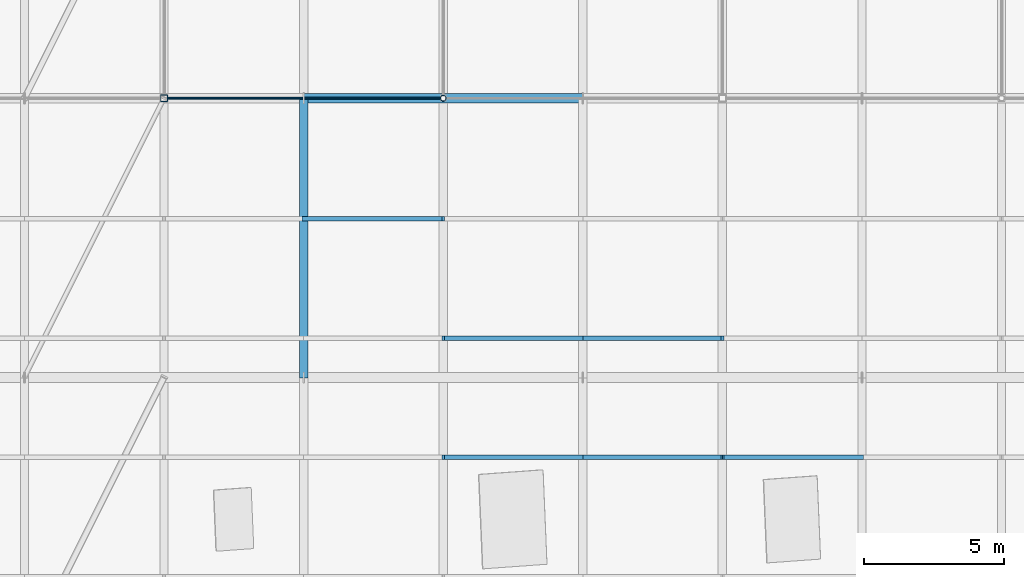
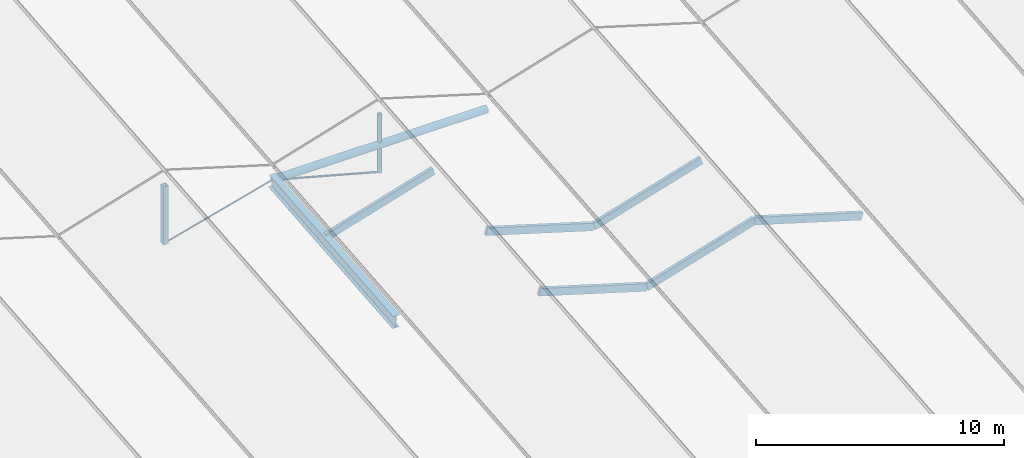
# One storey, part 16 of 90: 10 members, 2 beams.
"""IFC4 building model written with IfcOpenShell, lengths in metres."""

from ifc_helpers import new_model, si_unit, direction, frame, origin, origin_2d, place, context, subcontext, project, spatial, rectangle, hollow_rectangle, circle, hollow_circle, i_section, extrude, material, material_profile, profile_set, type_object, element, save


model = new_model("IFC4")

# Units and contexts
model_context = context("Model", 3, precision=1e-05, world=origin(), true_north=direction((0.0, 1.0)))
body_context = subcontext(model_context, "Body", "Model", "MODEL_VIEW")
ifc_project = project(units=[si_unit("LENGTHUNIT", "METRE"), si_unit("AREAUNIT", "SQUARE_METRE"), si_unit("VOLUMEUNIT", "CUBIC_METRE"), si_unit("PLANEANGLEUNIT", "RADIAN"), si_unit("MASSUNIT", "GRAM", prefix="KILO"), si_unit("THERMODYNAMICTEMPERATUREUNIT", "KELVIN"), si_unit("POWERUNIT", "WATT")], contexts=[model_context])

# Site, building, storey
site_placement = place(None, origin())
site = spatial("IfcSite", under=ifc_project, at=site_placement, CompositionType="ELEMENT")
building_placement = place(site_placement, origin())
building = spatial("IfcBuilding", under=site, at=building_placement, Name="Korenveer Ferry Terminal", CompositionType="ELEMENT")
storey_placement = place(building_placement, frame((0.0, 0.0, 22.199951171875)))
storey = spatial("IfcBuildingStorey", under=building, at=storey_placement, Name="RF", CompositionType="ELEMENT", Elevation=22.199951171875)

# Beam
ifc_material_1 = material(Name="Steel S355", Category="steel")
ifc_material_profile_1 = material_profile(ifc_material_1, i_section(OverallWidth=0.300048828125, OverallDepth=0.64990234375, WebThickness=0.01611328125, FlangeThickness=0.031005859375, FilletRadius=0.027099609375, at=origin_2d()), Name="HEB 650")
ifc_profile_set_1 = profile_set([ifc_material_profile_1], Name="Steel S355")
beam_type_1 = type_object("IfcBeamType", Name="STR-BM-HEB650", PredefinedType="BEAM", material=ifc_profile_set_1)
beam_1_placement = place(storey_placement, frame((73.0, 40.0, -9.585693359375), z_axis=(0.0, 0.995903364261, 0.090423940715), x_axis=(-1.0, 0.0, 0.0)))
element("IfcBeam", 1, at=beam_1_placement, inside=storey, type_object=beam_type_1, Name="Folded roof valley girder 30", PredefinedType="BEAM", context=body_context, shape_type="SweptSolid", body=[
    extrude(i_section(OverallWidth=0.300048828125, OverallDepth=0.64990234375, WebThickness=0.01611328125, FlangeThickness=0.031005859375, FilletRadius=0.027099609375, at=origin_2d()), origin(), (0.0, 0.0, 1.0), 10.041015625),
])

# Members
ifc_material_2 = material(Name="High-strength steel S460", Category="steel")
ifc_material_profile_2 = material_profile(ifc_material_2, circle(Radius=0.0380859375, at=origin_2d()), Name="ROD D76")
ifc_profile_set_2 = profile_set([ifc_material_profile_2], Name="High-strength steel S460")
member_type_1 = type_object("IfcMemberType", Name="STR-CBL-D76", PredefinedType="USERDEFINED", material=ifc_profile_set_2)
for number, where, z_axis, x_axis, name in (
    (2, (73.0, 50.0, -8.677734375), (-0.965436200058, 0.0, -0.260639489752), (0.0, -1.0, 0.0), "Roof tension tie cable 18"),
    (3, (73.0, 50.0, -8.677734375), (0.965436200058, 0.0, -0.260639489752), (0.0, 1.0, 0.0), "Roof tension tie cable 19"),
):
    element("IfcMember", number, at=place(storey_placement, frame(where, z_axis=z_axis, x_axis=x_axis)), inside=storey, type_object=member_type_1, Name=name, ObjectType="CABLE", PredefinedType="USERDEFINED", context=body_context, shape_type="SweptSolid", body=[
        extrude(circle(Radius=0.0380859375, at=origin_2d()), origin(), (0.0, 0.0, 1.0), 5.178955078125),
    ])
ifc_material_3 = material(Name="Glulam GL28h", Category="wood")
ifc_material_profile_3 = material_profile(ifc_material_3, rectangle(XDim=0.159912109375, YDim=0.360107421875, at=origin_2d()), Name="GL 160x360")
ifc_profile_set_3 = profile_set([ifc_material_profile_3], Name="Glulam GL28h")
member_type_2 = type_object("IfcMemberType", Name="STR-PUR-GL160", PredefinedType="PURLIN", material=ifc_profile_set_3)
for number, where, z_axis, x_axis, name in (
    (4, (73.0, 45.678466796875, -8.8486328125), (0.957323074362, 0.0, 0.289019949647), (0.0, 1.0, 0.0), "Folded roof glulam purlin 78"),
    (5, (78.0, 37.1357421875, -8.11474609375), (0.957310140112, 0.0, -0.289062788401), (0.0, 1.0, 0.0), "Folded roof glulam purlin 82"),
    (6, (78.0, 41.4072265625, -7.726806640625), (0.957310140112, 0.0, -0.289062788401), (0.0, 1.0, 0.0), "Folded roof glulam purlin 83"),
    (7, (83.0, 37.1357421875, -9.62451171875), (0.957310140112, 0.0, 0.289062788401), (0.0, 1.0, 0.0), "Folded roof glulam purlin 112"),
    (8, (83.0, 41.4072265625, -9.236572265625), (0.957310140112, 0.0, 0.289062788401), (0.0, 1.0, 0.0), "Folded roof glulam purlin 113"),
    (9, (88.0, 37.1357421875, -8.11474609375), (0.957310140112, 0.0, -0.289062788401), (0.0, 1.0, 0.0), "Folded roof glulam purlin 118"),
):
    element("IfcMember", number, at=place(storey_placement, frame(where, z_axis=z_axis, x_axis=x_axis)), inside=storey, type_object=member_type_2, Name=name, PredefinedType="PURLIN", context=body_context, shape_type="SweptSolid", body=[
        extrude(rectangle(XDim=0.159912109375, YDim=0.360107421875, at=origin_2d()), origin(), (0.0, 0.0, 1.0), 5.222900390625),
    ])

# Beam
ifc_material_profile_4 = material_profile(ifc_material_1, hollow_circle(Radius=0.177734375, WallThickness=0.01611328125, at=origin_2d()), Name="CHS 355.6x16")
ifc_profile_set_4 = profile_set([ifc_material_profile_4], Name="Steel S355")
beam_type_2 = type_object("IfcBeamType", Name="STR-RFG-CHS355", PredefinedType="USERDEFINED", material=ifc_profile_set_4)
beam_2_placement = place(storey_placement, frame((73.02001953125, 50.0, -8.677734375), z_axis=(1.0, 0.0, 0.0), x_axis=(0.0, 1.0, 0.0)))
element("IfcBeam", 10, at=beam_2_placement, inside=storey, type_object=beam_type_2, Name="Roof transverse tie girder 98", ObjectType="ROOF GIRDER", PredefinedType="USERDEFINED", context=body_context, shape_type="SweptSolid", body=[
    extrude(hollow_circle(Radius=0.177734375, WallThickness=0.01611328125, at=origin_2d()), origin(), (0.0, 0.0, 1.0), 9.9599609375),
])

# Members
ifc_material_profile_5 = material_profile(ifc_material_1, hollow_circle(Radius=0.109619140625, WallThickness=0.012451171875, at=origin_2d()), Name="CHS 219.1x12.5")
ifc_profile_set_5 = profile_set([ifc_material_profile_5], Name="Steel S355")
member_type_3 = type_object("IfcMemberType", Name="STR-STT-CHS219", PredefinedType="STRUT", material=ifc_profile_set_5)
member_1_placement = place(storey_placement, frame((78.0, 50.0, -10.027587890625), z_axis=(0.0, 0.0, 1.0), x_axis=(1.0, 0.0, 0.0)))
element("IfcMember", 11, at=member_1_placement, inside=storey, type_object=member_type_3, Name="Roof king-post strut STTKP-Y50-B2", PredefinedType="STRUT", context=body_context, shape_type="SweptSolid", body=[
    extrude(hollow_circle(Radius=0.109619140625, WallThickness=0.012451171875, at=origin_2d()), origin(), (0.0, 0.0, 1.0), 2.859619140625),
])
ifc_material_profile_6 = material_profile(ifc_material_1, hollow_rectangle(XDim=0.25, YDim=0.25, WallThickness=0.012451171875, InnerFilletRadius=0.012451171875, OuterFilletRadius=0.018798828125, at=origin_2d()), Name="SHS 250x250x12.5")
ifc_profile_set_6 = profile_set([ifc_material_profile_6], Name="Steel S355")
member_type_4 = type_object("IfcMemberType", Name="STR-STT-SHS250", PredefinedType="STRUT", material=ifc_profile_set_6)
member_2_placement = place(storey_placement, frame((68.0, 50.0, -10.027587890625), z_axis=(0.0, 0.0, 1.0), x_axis=(1.0, 0.0, 0.0)))
element("IfcMember", 12, at=member_2_placement, inside=storey, type_object=member_type_4, Name="Roof king-post strut STTKP-Y50-B1", PredefinedType="STRUT", context=body_context, shape_type="SweptSolid", body=[
    extrude(hollow_rectangle(XDim=0.25, YDim=0.25, WallThickness=0.012451171875, InnerFilletRadius=0.012451171875, OuterFilletRadius=0.018798828125, at=origin_2d()), origin(), (0.0, 0.0, 1.0), 2.859619140625),
])

save(model, "model.ifc")
